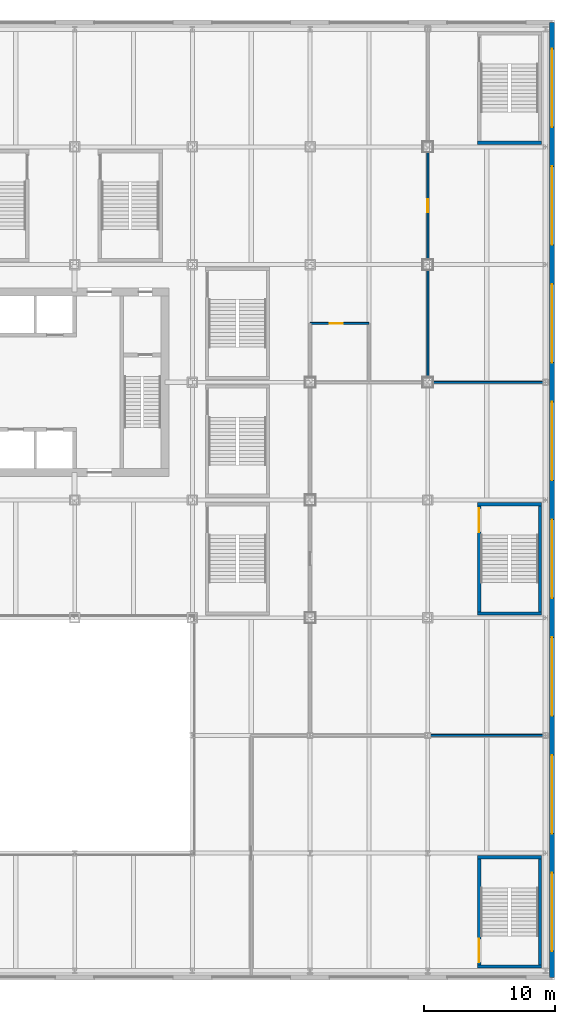
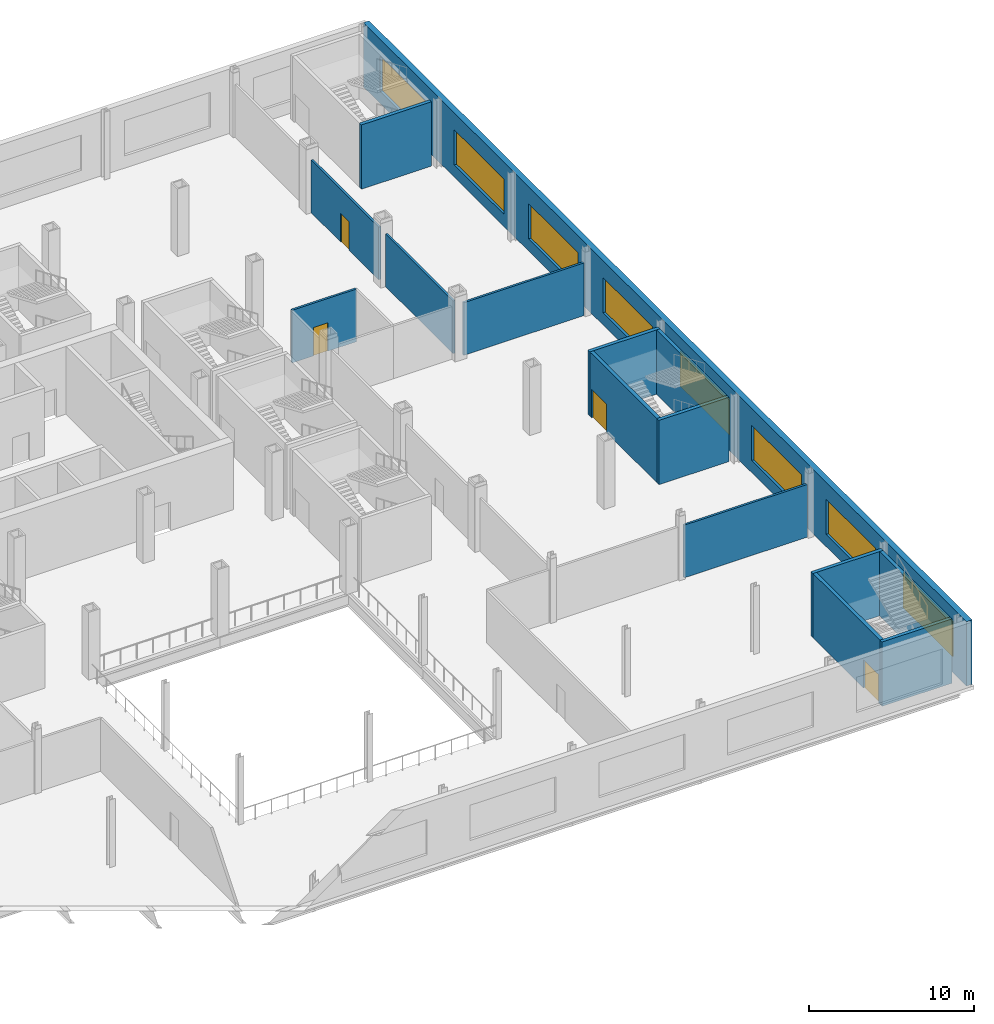
# One storey, part 14 of 28: 15 walls, 8 windows, 4 doors, 12 openings.
"""IFC4 building model written with IfcOpenShell, lengths in metres."""

from ifc_helpers import new_model, si_unit, direction, frame, frame_2d, origin, place, context, subcontext, project, spatial, rectangle, extrude, material, layer, layer_set, type_object, element, fill, save


model = new_model("IFC4")

# Units and contexts
model_context = context("Model", 3, precision=1e-05, world=origin(), true_north=direction((0.0, 1.0)))
body_context = subcontext(model_context, "Body", "Model", "MODEL_VIEW")
ifc_project = project(units=[si_unit("LENGTHUNIT", "METRE"), si_unit("AREAUNIT", "SQUARE_METRE"), si_unit("VOLUMEUNIT", "CUBIC_METRE"), si_unit("PLANEANGLEUNIT", "RADIAN"), si_unit("MASSUNIT", "GRAM", prefix="KILO")], contexts=[model_context])

# Site, building, storey
site_placement = place(None, origin())
site = spatial("IfcSite", under=ifc_project, at=site_placement, CompositionType="ELEMENT")
building_placement = place(site_placement, origin())
building = spatial("IfcBuilding", under=site, at=building_placement, Name="Loomwork Tower", CompositionType="ELEMENT")
storey_placement = place(building_placement, frame((0.0, 0.0, 6.0)))
storey = spatial("IfcBuildingStorey", under=building, at=storey_placement, Name="L01", CompositionType="ELEMENT", Elevation=6.0)

# Wall
ifc_material_1 = material(Name="Gypsum board on steel studs, one-hour", Category="steel")
ifc_layer_1 = layer(ifc_material_1, 0.14990234375)
ifc_layer_set_1 = layer_set([ifc_layer_1], Name="Partition 150")
wall_type_1 = type_object("IfcWallType", Name="Partition 150", PredefinedType="PARTITIONING", material=ifc_layer_set_1)
wall_1_placement = place(storey_placement, frame((54.19677734375, -9.0, 0.0), z_axis=(0.0, 0.0, 1.0), x_axis=(1.0, 0.0, 0.0)))
element("IfcWall", 1, at=wall_1_placement, inside=storey, type_object=wall_type_1, Name="Partition L01 13.2", PredefinedType="PARTITIONING", context=body_context, shape_type="SweptSolid", body=[
    extrude(rectangle(XDim=8.615234375, YDim=0.14990234375, at=frame_2d((4.3076171875, 0.0))), origin(), (0.0, 0.0, 1.0), 3.8916015625),
])

# Wall, opening, door
wall_2_placement = place(storey_placement, frame((45.0, 22.5, 0.0), z_axis=(0.0, 0.0, 1.0), x_axis=(1.0, 0.0, 0.0)))
wall_2 = element("IfcWall", 2, at=wall_2_placement, inside=storey, type_object=wall_type_1, Name="Partition L01 17.1", PredefinedType="PARTITIONING", context=body_context, shape_type="SweptSolid", body=[
    extrude(rectangle(XDim=4.5, YDim=0.14990234375, at=frame_2d((2.25, 0.0))), origin(), (0.0, 0.0, 1.0), 3.89111328125),
])
opening_1_placement = place(wall_2_placement, frame((1.5, 0.0, 0.0)))
opening_1 = element("IfcOpeningElement", 3, at=opening_1_placement, cuts=wall_2, Name="Opening D8", PredefinedType="OPENING", context=body_context, shape_type="SweptSolid", body=[
    extrude(rectangle(XDim=1.0, YDim=2.10009765625, at=frame_2d((0.5, 1.050048828125))), frame((0.0, 0.0849609375, 0.0), z_axis=(0.0, -1.0, 0.0), x_axis=(1.0, 0.0, 0.0)), (0.0, 0.0, 1.0), 0.169921875),
])
ifc_material_2 = material(Name="Hollow metal door and frame")
door_type_1 = type_object("IfcDoorType", Name="WC door 1000", OperationType="SINGLE_SWING_LEFT", PredefinedType="DOOR", material=ifc_material_2)
door_1_placement = place(opening_1_placement, frame((1.0, 0.0, 0.0), z_axis=(0.0, 0.0, 1.0), x_axis=(-1.0, 0.0, 0.0)))
door_1 = element("IfcDoor", 4, at=door_1_placement, inside=storey, type_object=door_type_1, Name="Accessible WC door", OperationType="SINGLE_SWING_RIGHT", OverallHeight=2.10009765625, OverallWidth=1.0, PredefinedType="DOOR", context=body_context, shape_type="SweptSolid", body=[
    extrude(rectangle(XDim=1.0, YDim=2.10009765625, at=frame_2d((0.5, 1.050048828125))), frame((0.0, 0.02490234375, 0.0), z_axis=(0.0, -1.0, 0.0), x_axis=(1.0, 0.0, 0.0)), (0.0, 0.0, 1.0), 0.050048828125),
])
fill(opening_1, door_1)

# Walls
wall_3_placement = place(storey_placement, frame((54.39990234375, 18.0, 0.0), z_axis=(0.0, 0.0, 1.0), x_axis=(1.0, 0.0, 0.0)))
element("IfcWall", 5, at=wall_3_placement, inside=storey, type_object=wall_type_1, Name="Partition L01 20.1", PredefinedType="PARTITIONING", context=body_context, shape_type="SweptSolid", body=[
    extrude(rectangle(XDim=8.412109375, YDim=0.14990234375, at=frame_2d((4.2060546875, 0.0))), origin(), (0.0, 0.0, 1.0), 3.8916015625),
])
wall_4_placement = place(storey_placement, frame((54.0, 18.39990234375, 0.0), z_axis=(0.0, 0.0, 1.0), x_axis=(0.0, 1.0, 0.0)))
element("IfcWall", 6, at=wall_4_placement, inside=storey, type_object=wall_type_1, Name="Partition L01 21.1", PredefinedType="PARTITIONING", context=body_context, shape_type="SweptSolid", body=[
    extrude(rectangle(XDim=8.2001953125, YDim=0.14990234375, at=frame_2d((4.10009765625, 0.0))), origin(), (0.0, 0.0, 1.0), 3.8916015625),
])

# Wall, opening, door
wall_5_placement = place(storey_placement, frame((54.0, 27.39990234375, 0.0), z_axis=(0.0, 0.0, 1.0), x_axis=(0.0, 1.0, 0.0)))
wall_5 = element("IfcWall", 7, at=wall_5_placement, inside=storey, type_object=wall_type_1, Name="Partition L01 21.2", PredefinedType="PARTITIONING", context=body_context, shape_type="SweptSolid", body=[
    extrude(rectangle(XDim=8.2001953125, YDim=0.14990234375, at=frame_2d((4.10009765625, 0.0))), origin(), (0.0, 0.0, 1.0), 3.8916015625),
])
opening_2_placement = place(wall_5_placement, frame((3.60009765625, 0.0, 0.0)))
opening_2 = element("IfcOpeningElement", 8, at=opening_2_placement, cuts=wall_5, Name="Opening D7", PredefinedType="OPENING", context=body_context, shape_type="SweptSolid", body=[
    extrude(rectangle(XDim=1.0, YDim=2.10009765625, at=frame_2d((0.5, 1.050048828125))), frame((0.0, 0.0849609375, 0.0), z_axis=(0.0, -1.0, 0.0), x_axis=(1.0, 0.0, 0.0)), (0.0, 0.0, 1.0), 0.169921875),
])
ifc_material_3 = material(Name="Hollow metal door and frame")
door_type_2 = type_object("IfcDoorType", Name="Room door 1000", OperationType="SINGLE_SWING_LEFT", PredefinedType="DOOR", material=ifc_material_3)
door_2_placement = place(opening_2_placement, origin())
door_2 = element("IfcDoor", 9, at=door_2_placement, inside=storey, type_object=door_type_2, Name="Retail unit L01-04 door", OperationType="SINGLE_SWING_RIGHT", OverallHeight=2.10009765625, OverallWidth=1.0, PredefinedType="DOOR", context=body_context, shape_type="SweptSolid", body=[
    extrude(rectangle(XDim=1.0, YDim=2.10009765625, at=frame_2d((0.5, 1.050048828125))), frame((0.0, 0.02490234375, 0.0), z_axis=(0.0, -1.0, 0.0), x_axis=(1.0, 0.0, 0.0)), (0.0, 0.0, 1.0), 0.050048828125),
])
fill(opening_2, door_2)

# Wall, openings, windows
ifc_material_4 = material(Name="Limestone on concrete masonry", Category="masonry")
ifc_layer_2 = layer(ifc_material_4, 0.39990234375)
ifc_layer_set_2 = layer_set([ifc_layer_2], Name="Podium limestone wall 400")
wall_type_2 = type_object("IfcWallType", Name="Podium limestone wall 400", PredefinedType="SOLIDWALL", material=ifc_layer_set_2)
wall_6_placement = place(storey_placement, frame((63.5, -27.5, 0.0), z_axis=(0.0, 0.0, 1.0), x_axis=(0.0, 1.0, 0.0)))
wall_6 = element("IfcWall", 10, at=wall_6_placement, inside=storey, type_object=wall_type_2, Name="Podium stone wall E", PredefinedType="SOLIDWALL", context=body_context, shape_type="SweptSolid", body=[
    extrude(rectangle(XDim=73.0, YDim=0.39990234375, at=frame_2d((36.5, 0.0))), origin(), (0.0, 0.0, 1.0), 4.75),
])
opening_3_placement = place(wall_6_placement, frame((2.0, 0.0, 0.89990234375)))
opening_3 = element("IfcOpeningElement", 11, at=opening_3_placement, cuts=wall_6, Name="Opening CH3", PredefinedType="OPENING", context=body_context, shape_type="SweptSolid", body=[
    extrude(rectangle(XDim=6.0, YDim=2.60009765625, at=frame_2d((3.0, 1.300048828125))), frame((0.0, 0.2099609375, 0.0), z_axis=(0.0, -1.0, 0.0), x_axis=(1.0, 0.0, 0.0)), (0.0, 0.0, 1.0), 0.419921875),
])
opening_4_placement = place(wall_6_placement, frame((11.0, 0.0, 0.89990234375)))
opening_4 = element("IfcOpeningElement", 12, at=opening_4_placement, cuts=wall_6, Name="Opening CH3", PredefinedType="OPENING", context=body_context, shape_type="SweptSolid", body=[
    extrude(rectangle(XDim=6.0, YDim=2.60009765625, at=frame_2d((3.0, 1.300048828125))), frame((0.0, 0.2099609375, 0.0), z_axis=(0.0, -1.0, 0.0), x_axis=(1.0, 0.0, 0.0)), (0.0, 0.0, 1.0), 0.419921875),
])
opening_5_placement = place(wall_6_placement, frame((20.0, 0.0, 0.89990234375)))
opening_5 = element("IfcOpeningElement", 13, at=opening_5_placement, cuts=wall_6, Name="Opening CH3", PredefinedType="OPENING", context=body_context, shape_type="SweptSolid", body=[
    extrude(rectangle(XDim=6.0, YDim=2.60009765625, at=frame_2d((3.0, 1.300048828125))), frame((0.0, 0.2099609375, 0.0), z_axis=(0.0, -1.0, 0.0), x_axis=(1.0, 0.0, 0.0)), (0.0, 0.0, 1.0), 0.419921875),
])
opening_6_placement = place(wall_6_placement, frame((29.0, 0.0, 0.89990234375)))
opening_6 = element("IfcOpeningElement", 14, at=opening_6_placement, cuts=wall_6, Name="Opening CH3", PredefinedType="OPENING", context=body_context, shape_type="SweptSolid", body=[
    extrude(rectangle(XDim=6.0, YDim=2.60009765625, at=frame_2d((3.0, 1.300048828125))), frame((0.0, 0.2099609375, 0.0), z_axis=(0.0, -1.0, 0.0), x_axis=(1.0, 0.0, 0.0)), (0.0, 0.0, 1.0), 0.419921875),
])
opening_7_placement = place(wall_6_placement, frame((38.0, 0.0, 0.89990234375)))
opening_7 = element("IfcOpeningElement", 15, at=opening_7_placement, cuts=wall_6, Name="Opening CH3", PredefinedType="OPENING", context=body_context, shape_type="SweptSolid", body=[
    extrude(rectangle(XDim=6.0, YDim=2.60009765625, at=frame_2d((3.0, 1.300048828125))), frame((0.0, 0.2099609375, 0.0), z_axis=(0.0, -1.0, 0.0), x_axis=(1.0, 0.0, 0.0)), (0.0, 0.0, 1.0), 0.419921875),
])
opening_8_placement = place(wall_6_placement, frame((47.0, 0.0, 0.89990234375)))
opening_8 = element("IfcOpeningElement", 16, at=opening_8_placement, cuts=wall_6, Name="Opening CH3", PredefinedType="OPENING", context=body_context, shape_type="SweptSolid", body=[
    extrude(rectangle(XDim=6.0, YDim=2.60009765625, at=frame_2d((3.0, 1.300048828125))), frame((0.0, 0.2099609375, 0.0), z_axis=(0.0, -1.0, 0.0), x_axis=(1.0, 0.0, 0.0)), (0.0, 0.0, 1.0), 0.419921875),
])
opening_9_placement = place(wall_6_placement, frame((56.0, 0.0, 0.89990234375)))
opening_9 = element("IfcOpeningElement", 17, at=opening_9_placement, cuts=wall_6, Name="Opening CH3", PredefinedType="OPENING", context=body_context, shape_type="SweptSolid", body=[
    extrude(rectangle(XDim=6.0, YDim=2.60009765625, at=frame_2d((3.0, 1.300048828125))), frame((0.0, 0.2099609375, 0.0), z_axis=(0.0, -1.0, 0.0), x_axis=(1.0, 0.0, 0.0)), (0.0, 0.0, 1.0), 0.419921875),
])
opening_10_placement = place(wall_6_placement, frame((65.0, 0.0, 0.89990234375)))
opening_10 = element("IfcOpeningElement", 18, at=opening_10_placement, cuts=wall_6, Name="Opening CH3", PredefinedType="OPENING", context=body_context, shape_type="SweptSolid", body=[
    extrude(rectangle(XDim=6.0, YDim=2.60009765625, at=frame_2d((3.0, 1.300048828125))), frame((0.0, 0.2099609375, 0.0), z_axis=(0.0, -1.0, 0.0), x_axis=(1.0, 0.0, 0.0)), (0.0, 0.0, 1.0), 0.419921875),
])
ifc_material_5 = material(Name="Aluminium frame with clear insulated glass", Category="aluminium")
window_type = type_object("IfcWindowType", Name="Podium Chicago window 6000", PartitioningType="TRIPLE_PANEL_VERTICAL", PredefinedType="WINDOW", material=ifc_material_5)
window_1_placement = place(opening_3_placement, origin())
window_1 = element("IfcWindow", 19, at=window_1_placement, inside=storey, type_object=window_type, Name="Podium window E bay 1", OverallHeight=2.60009765625, OverallWidth=6.0, PartitioningType="TRIPLE_PANEL_VERTICAL", PredefinedType="WINDOW", context=body_context, shape_type="SweptSolid", body=[
    extrude(rectangle(XDim=6.0, YDim=2.60009765625, at=frame_2d((3.0, 1.300048828125))), frame((0.0, 0.030029296875, 0.0), z_axis=(0.0, -1.0, 0.0), x_axis=(1.0, 0.0, 0.0)), (0.0, 0.0, 1.0), 0.06005859375),
])
fill(opening_3, window_1)
window_2_placement = place(opening_4_placement, origin())
window_2 = element("IfcWindow", 20, at=window_2_placement, inside=storey, type_object=window_type, Name="Podium window E bay 2", OverallHeight=2.60009765625, OverallWidth=6.0, PartitioningType="TRIPLE_PANEL_VERTICAL", PredefinedType="WINDOW", context=body_context, shape_type="SweptSolid", body=[
    extrude(rectangle(XDim=6.0, YDim=2.60009765625, at=frame_2d((3.0, 1.300048828125))), frame((0.0, 0.030029296875, 0.0), z_axis=(0.0, -1.0, 0.0), x_axis=(1.0, 0.0, 0.0)), (0.0, 0.0, 1.0), 0.06005859375),
])
fill(opening_4, window_2)
window_3_placement = place(opening_5_placement, origin())
window_3 = element("IfcWindow", 21, at=window_3_placement, inside=storey, type_object=window_type, Name="Podium window E bay 3", OverallHeight=2.60009765625, OverallWidth=6.0, PartitioningType="TRIPLE_PANEL_VERTICAL", PredefinedType="WINDOW", context=body_context, shape_type="SweptSolid", body=[
    extrude(rectangle(XDim=6.0, YDim=2.60009765625, at=frame_2d((3.0, 1.300048828125))), frame((0.0, 0.030029296875, 0.0), z_axis=(0.0, -1.0, 0.0), x_axis=(1.0, 0.0, 0.0)), (0.0, 0.0, 1.0), 0.06005859375),
])
fill(opening_5, window_3)
window_4_placement = place(opening_6_placement, origin())
window_4 = element("IfcWindow", 22, at=window_4_placement, inside=storey, type_object=window_type, Name="Podium window E bay 4", OverallHeight=2.60009765625, OverallWidth=6.0, PartitioningType="TRIPLE_PANEL_VERTICAL", PredefinedType="WINDOW", context=body_context, shape_type="SweptSolid", body=[
    extrude(rectangle(XDim=6.0, YDim=2.60009765625, at=frame_2d((3.0, 1.300048828125))), frame((0.0, 0.030029296875, 0.0), z_axis=(0.0, -1.0, 0.0), x_axis=(1.0, 0.0, 0.0)), (0.0, 0.0, 1.0), 0.06005859375),
])
fill(opening_6, window_4)
window_5_placement = place(opening_7_placement, origin())
window_5 = element("IfcWindow", 23, at=window_5_placement, inside=storey, type_object=window_type, Name="Podium window E bay 5", OverallHeight=2.60009765625, OverallWidth=6.0, PartitioningType="TRIPLE_PANEL_VERTICAL", PredefinedType="WINDOW", context=body_context, shape_type="SweptSolid", body=[
    extrude(rectangle(XDim=6.0, YDim=2.60009765625, at=frame_2d((3.0, 1.300048828125))), frame((0.0, 0.030029296875, 0.0), z_axis=(0.0, -1.0, 0.0), x_axis=(1.0, 0.0, 0.0)), (0.0, 0.0, 1.0), 0.06005859375),
])
fill(opening_7, window_5)
window_6_placement = place(opening_8_placement, origin())
window_6 = element("IfcWindow", 24, at=window_6_placement, inside=storey, type_object=window_type, Name="Podium window E bay 6", OverallHeight=2.60009765625, OverallWidth=6.0, PartitioningType="TRIPLE_PANEL_VERTICAL", PredefinedType="WINDOW", context=body_context, shape_type="SweptSolid", body=[
    extrude(rectangle(XDim=6.0, YDim=2.60009765625, at=frame_2d((3.0, 1.300048828125))), frame((0.0, 0.030029296875, 0.0), z_axis=(0.0, -1.0, 0.0), x_axis=(1.0, 0.0, 0.0)), (0.0, 0.0, 1.0), 0.06005859375),
])
fill(opening_8, window_6)
window_7_placement = place(opening_9_placement, origin())
window_7 = element("IfcWindow", 25, at=window_7_placement, inside=storey, type_object=window_type, Name="Podium window E bay 7", OverallHeight=2.60009765625, OverallWidth=6.0, PartitioningType="TRIPLE_PANEL_VERTICAL", PredefinedType="WINDOW", context=body_context, shape_type="SweptSolid", body=[
    extrude(rectangle(XDim=6.0, YDim=2.60009765625, at=frame_2d((3.0, 1.300048828125))), frame((0.0, 0.030029296875, 0.0), z_axis=(0.0, -1.0, 0.0), x_axis=(1.0, 0.0, 0.0)), (0.0, 0.0, 1.0), 0.06005859375),
])
fill(opening_9, window_7)
window_8_placement = place(opening_10_placement, origin())
window_8 = element("IfcWindow", 26, at=window_8_placement, inside=storey, type_object=window_type, Name="Podium window E bay 8", OverallHeight=2.60009765625, OverallWidth=6.0, PartitioningType="TRIPLE_PANEL_VERTICAL", PredefinedType="WINDOW", context=body_context, shape_type="SweptSolid", body=[
    extrude(rectangle(XDim=6.0, YDim=2.60009765625, at=frame_2d((3.0, 1.300048828125))), frame((0.0, 0.030029296875, 0.0), z_axis=(0.0, -1.0, 0.0), x_axis=(1.0, 0.0, 0.0)), (0.0, 0.0, 1.0), 0.06005859375),
])
fill(opening_10, window_8)

# Walls
ifc_material_6 = material(Name="Concrete masonry, two-hour", Category="masonry")
ifc_layer_3 = layer(ifc_material_6, 0.25)
ifc_layer_set_3 = layer_set([ifc_layer_3], Name="Stair enclosure wall 250")
wall_type_3 = type_object("IfcWallType", Name="Stair enclosure wall 250", PredefinedType="SOLIDWALL", material=ifc_layer_set_3)
for number, where, z_axis, x_axis, name in (
    (27, (57.800048828125, -26.675048828125, 0.0), (0.0, 0.0, 1.0), (1.0, 0.0, 0.0), "Stair PS2 enclosure wall S L01"),
    (28, (57.800048828125, -18.324951171875, 0.0), (0.0, 0.0, 1.0), (1.0, 0.0, 0.0), "Stair PS2 enclosure wall N L01"),
):
    element("IfcWall", number, at=place(storey_placement, frame(where, z_axis=z_axis, x_axis=x_axis)), inside=storey, type_object=wall_type_3, Name=name, PredefinedType="SOLIDWALL", context=body_context, shape_type="SweptSolid", body=[
        extrude(rectangle(XDim=4.89990234375, YDim=0.25, at=frame_2d((2.449951171875, 0.0))), origin(), (0.0, 0.0, 1.0), 4.75),
    ])

# Wall, opening, door
wall_7_placement = place(storey_placement, frame((57.925048828125, -26.550048828125, 0.0), z_axis=(0.0, 0.0, 1.0), x_axis=(0.0, 1.0, 0.0)))
wall_7 = element("IfcWall", 29, at=wall_7_placement, inside=storey, type_object=wall_type_3, Name="Stair PS2 enclosure wall W L01", PredefinedType="SOLIDWALL", context=body_context, shape_type="SweptSolid", body=[
    extrude(rectangle(XDim=8.10009765625, YDim=0.25, at=frame_2d((4.050048828125, 0.0))), origin(), (0.0, 0.0, 1.0), 4.75),
])
opening_11_placement = place(wall_7_placement, frame((0.199951171875, 0.0, 0.0)))
opening_11 = element("IfcOpeningElement", 30, at=opening_11_placement, cuts=wall_7, Name="Opening D14", PredefinedType="OPENING", context=body_context, shape_type="SweptSolid", body=[
    extrude(rectangle(XDim=1.800048828125, YDim=2.10009765625, at=frame_2d((0.89990234375, 1.050048828125))), frame((0.0, 0.135009765625, 0.0), z_axis=(0.0, -1.0, 0.0), x_axis=(1.0, 0.0, 0.0)), (0.0, 0.0, 1.0), 0.27001953125),
])
ifc_material_7 = material(Name="Hollow metal door and frame")
door_type_3 = type_object("IfcDoorType", Name="Stair double door 1800", OperationType="DOUBLE_DOOR_SINGLE_SWING", PredefinedType="DOOR", material=ifc_material_7)
door_3_placement = place(opening_11_placement, frame((1.800048828125, 0.0, 0.0), z_axis=(0.0, 0.0, 1.0), x_axis=(-1.0, 0.0, 0.0)))
door_3 = element("IfcDoor", 31, at=door_3_placement, inside=storey, type_object=door_type_3, Name="Stair PS2 door L01", OperationType="DOUBLE_DOOR_SINGLE_SWING", OverallHeight=2.10009765625, OverallWidth=1.800048828125, PredefinedType="DOOR", context=body_context, shape_type="SweptSolid", body=[
    extrude(rectangle(XDim=1.800048828125, YDim=2.10009765625, at=frame_2d((0.89990234375, 1.050048828125))), frame((0.0, 0.02490234375, 0.0), z_axis=(0.0, -1.0, 0.0), x_axis=(1.0, 0.0, 0.0)), (0.0, 0.0, 1.0), 0.050048828125),
])
fill(opening_11, door_3)

# Walls
wall_8_placement = place(storey_placement, frame((62.574951171875, -26.550048828125, 0.0), z_axis=(0.0, 0.0, 1.0), x_axis=(0.0, 1.0, 0.0)))
element("IfcWall", 32, at=wall_8_placement, inside=storey, type_object=wall_type_3, Name="Stair PS2 enclosure wall E L01", PredefinedType="SOLIDWALL", context=body_context, shape_type="SweptSolid", body=[
    extrude(rectangle(XDim=8.10009765625, YDim=0.25, at=frame_2d((4.050048828125, 0.0))), origin(), (0.0, 0.0, 1.0), 4.75),
])
for number, where, z_axis, x_axis, name in (
    (33, (57.800048828125, 36.324951171875, 0.0), (0.0, 0.0, 1.0), (1.0, 0.0, 0.0), "Stair PS4 enclosure wall S L01"),
    (34, (57.800048828125, 0.324951171875, 0.0), (0.0, 0.0, 1.0), (1.0, 0.0, 0.0), "Stair PS6 enclosure wall S L01"),
    (35, (57.800048828125, 8.675048828125, 0.0), (0.0, 0.0, 1.0), (1.0, 0.0, 0.0), "Stair PS6 enclosure wall N L01"),
):
    element("IfcWall", number, at=place(storey_placement, frame(where, z_axis=z_axis, x_axis=x_axis)), inside=storey, type_object=wall_type_3, Name=name, PredefinedType="SOLIDWALL", context=body_context, shape_type="SweptSolid", body=[
        extrude(rectangle(XDim=4.89990234375, YDim=0.25, at=frame_2d((2.449951171875, 0.0))), origin(), (0.0, 0.0, 1.0), 4.75),
    ])

# Wall, opening, door
wall_9_placement = place(storey_placement, frame((57.925048828125, 0.449951171875, 0.0), z_axis=(0.0, 0.0, 1.0), x_axis=(0.0, 1.0, 0.0)))
wall_9 = element("IfcWall", 36, at=wall_9_placement, inside=storey, type_object=wall_type_3, Name="Stair PS6 enclosure wall W L01", PredefinedType="SOLIDWALL", context=body_context, shape_type="SweptSolid", body=[
    extrude(rectangle(XDim=8.10009765625, YDim=0.25, at=frame_2d((4.050048828125, 0.0))), origin(), (0.0, 0.0, 1.0), 4.75),
])
opening_12_placement = place(wall_9_placement, frame((6.10009765625, 0.0, 0.0)))
opening_12 = element("IfcOpeningElement", 37, at=opening_12_placement, cuts=wall_9, Name="Opening D14", PredefinedType="OPENING", context=body_context, shape_type="SweptSolid", body=[
    extrude(rectangle(XDim=1.800048828125, YDim=2.10009765625, at=frame_2d((0.89990234375, 1.050048828125))), frame((0.0, 0.135009765625, 0.0), z_axis=(0.0, -1.0, 0.0), x_axis=(1.0, 0.0, 0.0)), (0.0, 0.0, 1.0), 0.27001953125),
])
door_4_placement = place(opening_12_placement, frame((1.800048828125, 0.0, 0.0), z_axis=(0.0, 0.0, 1.0), x_axis=(-1.0, 0.0, 0.0)))
door_4 = element("IfcDoor", 38, at=door_4_placement, inside=storey, type_object=door_type_3, Name="Stair PS6 door L01", OperationType="DOUBLE_DOOR_SINGLE_SWING", OverallHeight=2.10009765625, OverallWidth=1.800048828125, PredefinedType="DOOR", context=body_context, shape_type="SweptSolid", body=[
    extrude(rectangle(XDim=1.800048828125, YDim=2.10009765625, at=frame_2d((0.89990234375, 1.050048828125))), frame((0.0, 0.02490234375, 0.0), z_axis=(0.0, -1.0, 0.0), x_axis=(1.0, 0.0, 0.0)), (0.0, 0.0, 1.0), 0.050048828125),
])
fill(opening_12, door_4)

# Wall
wall_10_placement = place(storey_placement, frame((62.574951171875, 0.449951171875, 0.0), z_axis=(0.0, 0.0, 1.0), x_axis=(0.0, 1.0, 0.0)))
element("IfcWall", 39, at=wall_10_placement, inside=storey, type_object=wall_type_3, Name="Stair PS6 enclosure wall E L01", PredefinedType="SOLIDWALL", context=body_context, shape_type="SweptSolid", body=[
    extrude(rectangle(XDim=8.10009765625, YDim=0.25, at=frame_2d((4.050048828125, 0.0))), origin(), (0.0, 0.0, 1.0), 4.75),
])

save(model, "model.ifc")
